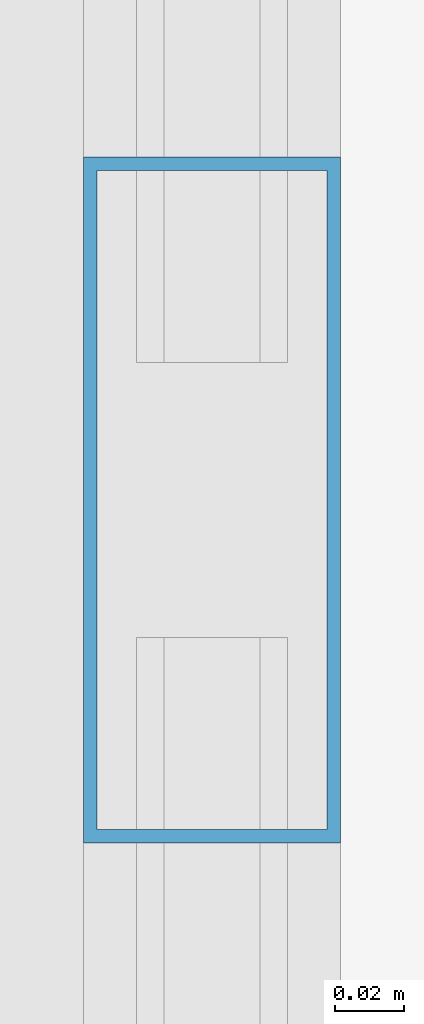
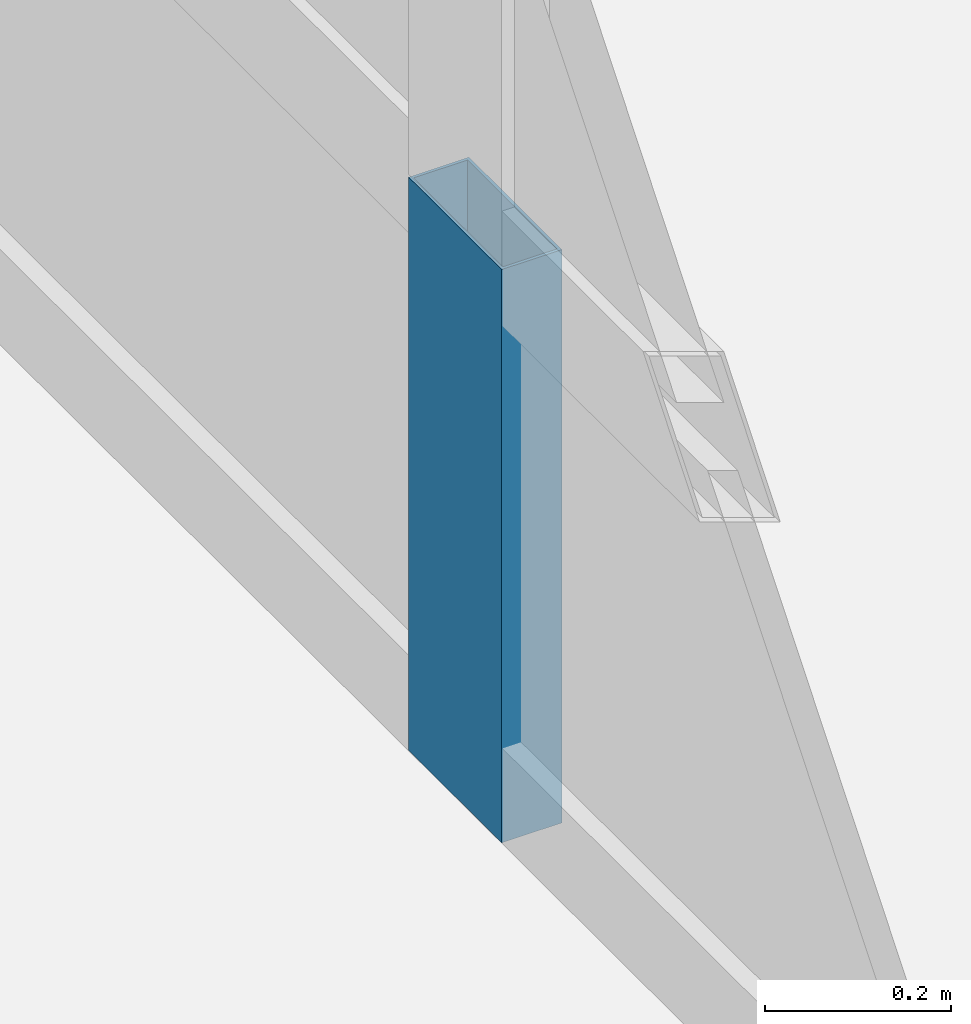
# One storey, part 22 of 35: 1 member, 1 element without a shape of its own.
"""IFC4 building model written with IfcOpenShell, lengths in metres."""

from ifc_helpers import new_model, si_unit, direction, frame, origin, origin_2d, place, context, subcontext, project, spatial, hollow_rectangle, extrude, source, transform, mapped, material, layer, layer_set, material_profile, profile_set, type_object, element, aggregate, save


model = new_model("IFC4")

# Units and contexts
model_context = context("Model", 3, precision=1e-05, world=origin(), true_north=direction((0.0, 1.0)))
body_context = subcontext(model_context, "Body", "Model", "MODEL_VIEW")
ifc_project = project(units=[si_unit("LENGTHUNIT", "METRE"), si_unit("AREAUNIT", "SQUARE_METRE"), si_unit("VOLUMEUNIT", "CUBIC_METRE"), si_unit("PLANEANGLEUNIT", "RADIAN"), si_unit("MASSUNIT", "GRAM", prefix="KILO"), si_unit("THERMODYNAMICTEMPERATUREUNIT", "KELVIN"), si_unit("POWERUNIT", "WATT")], contexts=[model_context])

# Site, building, storey
site_placement = place(None, origin())
site = spatial("IfcSite", under=ifc_project, at=site_placement, CompositionType="ELEMENT")
building_placement = place(site_placement, origin())
building = spatial("IfcBuilding", under=site, at=building_placement, Name="Yuzanri Waterfront Tower", CompositionType="ELEMENT")
storey_placement = place(building_placement, frame((0.0, 0.0, 296.10009765625)))
storey = spatial("IfcBuildingStorey", under=building, at=storey_placement, Name="L79", CompositionType="ELEMENT", Elevation=296.10009765625)

# Curtain wall, member
ifc_material_1 = material(Name="Anodized Architectural Bronze", Category="metal")
ifc_layer = layer(ifc_material_1, 0.159912109375)
ifc_layer_set = layer_set([ifc_layer], Name="Anodized Architectural Bronze")
curtain_wall_type = type_object("IfcCurtainWallType", Name="Anodized Bronze High-Rise Penthouse High-Wind Unitized Curtain Wall 6900", PredefinedType="NOTDEFINED", material=ifc_layer_set)
curtain_wall_placement = place(storey_placement, origin())
curtain_wall = element("IfcCurtainWall", 1, at=curtain_wall_placement, inside=storey, type_object=curtain_wall_type, Name="L79 Curtain Wall CW-L79-WL", PredefinedType="NOTDEFINED")
ifc_material_2 = material(Name="Anodized Architectural Bronze", Category="metal")
ifc_material_profile = material_profile(ifc_material_2, hollow_rectangle(XDim=0.074951171875, YDim=0.199951171875, WallThickness=0.00390625, at=origin_2d()), Name="CWM 75x200")
ifc_profile_set = profile_set([ifc_material_profile], Name="Anodized Architectural Bronze")
member_type = type_object("IfcMemberType", Name="Anodized Bronze Primary Curtain-Wall Mullion 75x200", PredefinedType="MULLION", material=ifc_profile_set)
shared_shape = source(origin(), body_context, "Body", "SweptSolid", [
    extrude(hollow_rectangle(XDim=0.074951171875, YDim=0.199951171875, WallThickness=0.00390625, at=origin_2d()), origin(), (0.0, 0.0, 1.0), 0.751953125),
])
member_placement = place(storey_placement, frame((18.050048828125, 19.75, 0.0), z_axis=(0.0, 0.0, 1.0), x_axis=(1.0, 0.0, 0.0)))
member = element("IfcMember", 2, at=member_placement, type_object=member_type, Name="CW-L79-WL Lower Mullion 01", PredefinedType="MULLION", context=body_context, shape_type="MappedRepresentation", body=[
    mapped(shared_shape, transform((0.0, 0.0, 0.0), scale=1.0)),
])
aggregate(curtain_wall, [member])

save(model, "model.ifc")
